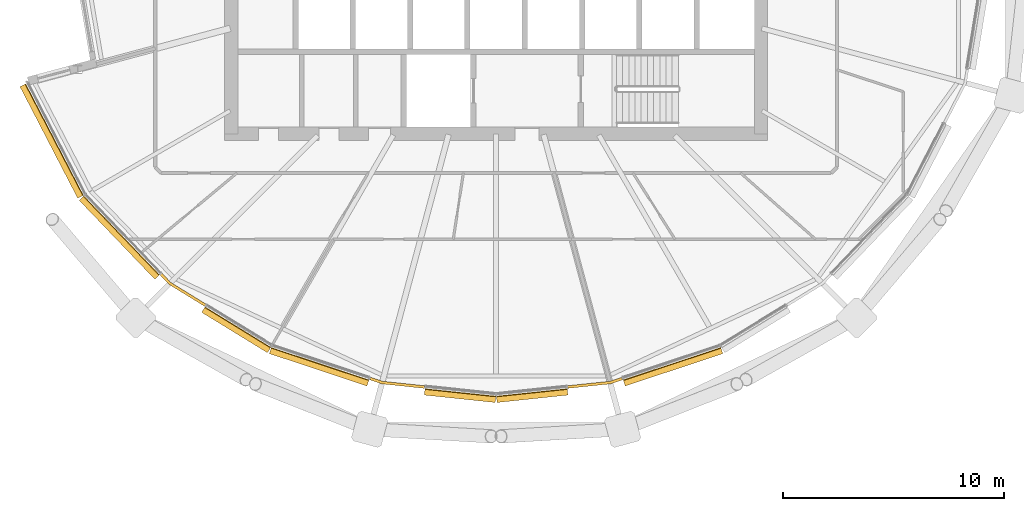
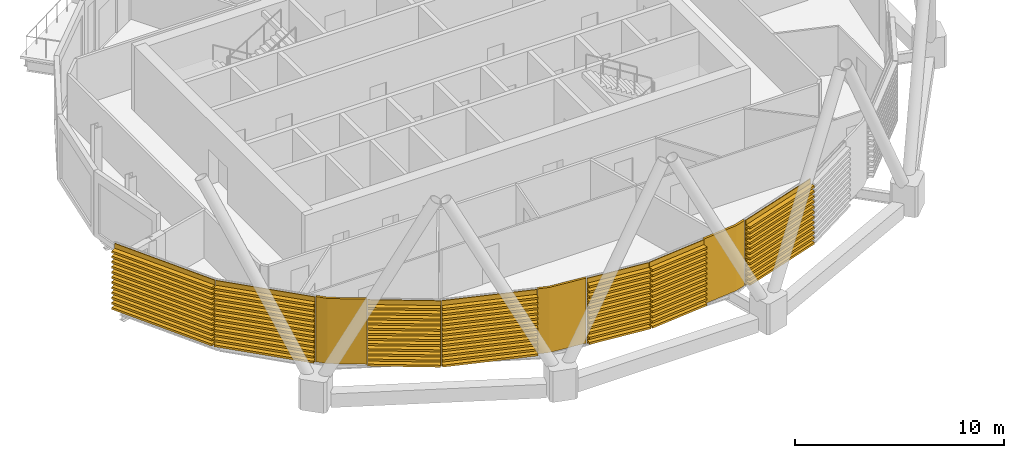
# One storey, part 31 of 37: 10 coverings.
"""IFC4 building model written with IfcOpenShell, lengths in metres."""

from ifc_helpers import new_model, si_unit, direction, frame, origin, place, context, subcontext, project, spatial, polyline, outline, extrude, material, layer, layer_set, material_profile, profile_set, type_object, element, save


model = new_model("IFC4")

# Units and contexts
model_context = context("Model", 3, precision=1e-05, world=origin(), true_north=direction((0.0, 1.0)))
body_context = subcontext(model_context, "Body", "Model", "MODEL_VIEW")
ifc_project = project(units=[si_unit("LENGTHUNIT", "METRE"), si_unit("AREAUNIT", "SQUARE_METRE"), si_unit("VOLUMEUNIT", "CUBIC_METRE"), si_unit("PLANEANGLEUNIT", "RADIAN"), si_unit("MASSUNIT", "GRAM", prefix="KILO")], contexts=[model_context])

# Site, building, storey
site_placement = place(None, origin())
site = spatial("IfcSite", under=ifc_project, at=site_placement, CompositionType="ELEMENT")
building_placement = place(site_placement, origin())
building = spatial("IfcBuilding", under=site, at=building_placement, Name="Rimbun Link Towers", CompositionType="ELEMENT")
storey_placement = place(building_placement, frame((0.0, 0.0, 170.300048828125)))
storey = spatial("IfcBuildingStorey", under=building, at=storey_placement, Name="L41", CompositionType="ELEMENT", Elevation=170.300048828125)

# Coverings
ifc_material_1 = material(Name="Terracotta", Category="masonry")
ifc_layer = layer(ifc_material_1, 0.1201171875)
ifc_layer_set = layer_set([ifc_layer], Name="LINK PIER terracotta cladding 120")
covering_type_1 = type_object("IfcCoveringType", Name="LINK PIER terracotta cladding 120", PredefinedType="CLADDING", material=ifc_layer_set)
covering_1_placement = place(storey_placement, origin())
element("IfcCovering", 1, at=covering_1_placement, inside=storey, type_object=covering_type_1, Name="LINK PIER cladding", PredefinedType="CLADDING", context=body_context, shape_type="SweptSolid", body=[
    extrude(outline(polyline([(-44.8876953125, -15.709716796875), (-46.481201171875, -14.731201171875), (-46.875732421875, -14.31982421875), (-46.96240234375, -14.40283203125), (-46.55712890625, -14.825439453125), (-44.950439453125, -15.81201171875), (-44.8876953125, -15.709716796875)])), origin(), (0.0, 0.0, 1.0), 3.800048828125),
])
covering_2_placement = place(storey_placement, origin())
element("IfcCovering", 2, at=covering_2_placement, inside=storey, type_object=covering_type_1, Name="LINK PIER cladding", PredefinedType="CLADDING", context=body_context, shape_type="SweptSolid", body=[
    extrude(outline(polyline([(-34.987060546875, -19.40771484375), (-36.896484375, -19.20654296875), (-37.4375, -19.02734375), (-37.47509765625, -19.14111328125), (-36.921875, -19.324462890625), (-34.99951171875, -19.527099609375), (-34.987060546875, -19.40771484375)])), origin(), (0.0, 0.0, 1.0), 3.800048828125),
])
covering_3_placement = place(storey_placement, origin())
element("IfcCovering", 3, at=covering_3_placement, inside=storey, type_object=covering_type_1, Name="LINK PIER cladding", PredefinedType="CLADDING", context=body_context, shape_type="SweptSolid", body=[
    extrude(outline(polyline([(-26.0625, -19.02734375), (-26.603515625, -19.20654296875), (-28.512939453125, -19.40771484375), (-28.50048828125, -19.527099609375), (-26.578125, -19.324462890625), (-26.02490234375, -19.14111328125), (-26.0625, -19.02734375)])), origin(), (0.0, 0.0, 1.0), 3.800048828125),
])
ifc_material_2 = material(Name="Terracotta", Category="masonry")
ifc_material_profile = material_profile(ifc_material_2, outline(polyline([(0.123046875, 0.0), (0.1630859375, 0.0), (0.1630859375, 0.10009765625), (0.423095703125, 0.10009765625), (0.423095703125, 0.219970703125), (0.1630859375, 0.219970703125), (0.1630859375, 0.39990234375), (0.423095703125, 0.39990234375), (0.423095703125, 0.52001953125), (0.1630859375, 0.52001953125), (0.1630859375, 0.699951171875), (0.423095703125, 0.699951171875), (0.423095703125, 0.820068359375), (0.1630859375, 0.820068359375), (0.1630859375, 1.0), (0.423095703125, 1.0), (0.423095703125, 1.1201171875), (0.1630859375, 1.1201171875), (0.1630859375, 1.300048828125), (0.423095703125, 1.300048828125), (0.423095703125, 1.419921875), (0.1630859375, 1.419921875), (0.1630859375, 1.60009765625), (0.423095703125, 1.60009765625), (0.423095703125, 1.719970703125), (0.1630859375, 1.719970703125), (0.1630859375, 1.89990234375), (0.423095703125, 1.89990234375), (0.423095703125, 2.02001953125), (0.1630859375, 2.02001953125), (0.1630859375, 2.199951171875), (0.423095703125, 2.199951171875), (0.423095703125, 2.320068359375), (0.1630859375, 2.320068359375), (0.1630859375, 2.5), (0.423095703125, 2.5), (0.423095703125, 2.6201171875), (0.1630859375, 2.6201171875), (0.1630859375, 2.800048828125), (0.423095703125, 2.800048828125), (0.423095703125, 2.919921875), (0.1630859375, 2.919921875), (0.1630859375, 3.10009765625), (0.423095703125, 3.10009765625), (0.423095703125, 3.219970703125), (0.1630859375, 3.219970703125), (0.1630859375, 3.39990234375), (0.423095703125, 3.39990234375), (0.423095703125, 3.52001953125), (0.1630859375, 3.52001953125), (0.1630859375, 3.800048828125), (0.123046875, 3.800048828125), (0.123046875, 0.0)])), Name="BAGUETTE 120X300")
ifc_profile_set = profile_set([ifc_material_profile], Name="Terracotta")
covering_type_2 = type_object("IfcCoveringType", Name="TERRACOTTA BAGUETTE 120X300 H3800", PredefinedType="CLADDING", material=ifc_profile_set)
covering_4_placement = place(storey_placement, frame((-50.323486328125, -10.723388671875, 0.0), z_axis=(-0.459578361582, 0.888137224513, 0.0), x_axis=(-0.888137224513, -0.459578361582, 0.0)))
element("IfcCovering", 4, at=covering_4_placement, inside=storey, type_object=covering_type_2, Name="TERRACOTTA BAGUETTE", PredefinedType="CLADDING", context=body_context, shape_type="SweptSolid", body=[
    extrude(outline(polyline([(0.123046875, 0.0), (0.1630859375, 0.0), (0.1630859375, 0.10009765625), (0.423095703125, 0.10009765625), (0.423095703125, 0.219970703125), (0.1630859375, 0.219970703125), (0.1630859375, 0.39990234375), (0.423095703125, 0.39990234375), (0.423095703125, 0.52001953125), (0.1630859375, 0.52001953125), (0.1630859375, 0.699951171875), (0.423095703125, 0.699951171875), (0.423095703125, 0.820068359375), (0.1630859375, 0.820068359375), (0.1630859375, 1.0), (0.423095703125, 1.0), (0.423095703125, 1.1201171875), (0.1630859375, 1.1201171875), (0.1630859375, 1.300048828125), (0.423095703125, 1.300048828125), (0.423095703125, 1.419921875), (0.1630859375, 1.419921875), (0.1630859375, 1.60009765625), (0.423095703125, 1.60009765625), (0.423095703125, 1.719970703125), (0.1630859375, 1.719970703125), (0.1630859375, 1.89990234375), (0.423095703125, 1.89990234375), (0.423095703125, 2.02001953125), (0.1630859375, 2.02001953125), (0.1630859375, 2.199951171875), (0.423095703125, 2.199951171875), (0.423095703125, 2.320068359375), (0.1630859375, 2.320068359375), (0.1630859375, 2.5), (0.423095703125, 2.5), (0.423095703125, 2.6201171875), (0.1630859375, 2.6201171875), (0.1630859375, 2.800048828125), (0.423095703125, 2.800048828125), (0.423095703125, 2.919921875), (0.1630859375, 2.919921875), (0.1630859375, 3.10009765625), (0.423095703125, 3.10009765625), (0.423095703125, 3.219970703125), (0.1630859375, 3.219970703125), (0.1630859375, 3.39990234375), (0.423095703125, 3.39990234375), (0.423095703125, 3.52001953125), (0.1630859375, 3.52001953125), (0.1630859375, 3.800048828125), (0.123046875, 3.800048828125), (0.123046875, 0.0)])), origin(), (0.0, 0.0, 1.0), 5.6826171875),
])
covering_5_placement = place(storey_placement, frame((-46.896484375, -14.298095703125, 0.0), z_axis=(-0.692035988, 0.721863000377, 0.0), x_axis=(-0.721863000377, -0.692035988, 0.0)))
element("IfcCovering", 5, at=covering_5_placement, inside=storey, type_object=covering_type_2, Name="TERRACOTTA BAGUETTE", PredefinedType="CLADDING", context=body_context, shape_type="SweptSolid", body=[
    extrude(outline(polyline([(0.123046875, 0.0), (0.1630859375, 0.0), (0.1630859375, 0.10009765625), (0.423095703125, 0.10009765625), (0.423095703125, 0.219970703125), (0.1630859375, 0.219970703125), (0.1630859375, 0.39990234375), (0.423095703125, 0.39990234375), (0.423095703125, 0.52001953125), (0.1630859375, 0.52001953125), (0.1630859375, 0.699951171875), (0.423095703125, 0.699951171875), (0.423095703125, 0.820068359375), (0.1630859375, 0.820068359375), (0.1630859375, 1.0), (0.423095703125, 1.0), (0.423095703125, 1.1201171875), (0.1630859375, 1.1201171875), (0.1630859375, 1.300048828125), (0.423095703125, 1.300048828125), (0.423095703125, 1.419921875), (0.1630859375, 1.419921875), (0.1630859375, 1.60009765625), (0.423095703125, 1.60009765625), (0.423095703125, 1.719970703125), (0.1630859375, 1.719970703125), (0.1630859375, 1.89990234375), (0.423095703125, 1.89990234375), (0.423095703125, 2.02001953125), (0.1630859375, 2.02001953125), (0.1630859375, 2.199951171875), (0.423095703125, 2.199951171875), (0.423095703125, 2.320068359375), (0.1630859375, 2.320068359375), (0.1630859375, 2.5), (0.423095703125, 2.5), (0.423095703125, 2.6201171875), (0.1630859375, 2.6201171875), (0.1630859375, 2.800048828125), (0.423095703125, 2.800048828125), (0.423095703125, 2.919921875), (0.1630859375, 2.919921875), (0.1630859375, 3.10009765625), (0.423095703125, 3.10009765625), (0.423095703125, 3.219970703125), (0.1630859375, 3.219970703125), (0.1630859375, 3.39990234375), (0.423095703125, 3.39990234375), (0.423095703125, 3.52001953125), (0.1630859375, 3.52001953125), (0.1630859375, 3.800048828125), (0.123046875, 3.800048828125), (0.123046875, 0.0)])), origin(), (0.0, 0.0, 1.0), 4.9521484375),
])
covering_6_placement = place(storey_placement, frame((-41.884521484375, -17.5537109375, 0.0), z_axis=(-0.852164119705, 0.523274605811, 0.0), x_axis=(-0.523274605811, -0.852164119705, 0.0)))
element("IfcCovering", 6, at=covering_6_placement, inside=storey, type_object=covering_type_2, Name="TERRACOTTA BAGUETTE", PredefinedType="CLADDING", context=body_context, shape_type="SweptSolid", body=[
    extrude(outline(polyline([(0.123046875, 0.0), (0.1630859375, 0.0), (0.1630859375, 0.10009765625), (0.423095703125, 0.10009765625), (0.423095703125, 0.219970703125), (0.1630859375, 0.219970703125), (0.1630859375, 0.39990234375), (0.423095703125, 0.39990234375), (0.423095703125, 0.52001953125), (0.1630859375, 0.52001953125), (0.1630859375, 0.699951171875), (0.423095703125, 0.699951171875), (0.423095703125, 0.820068359375), (0.1630859375, 0.820068359375), (0.1630859375, 1.0), (0.423095703125, 1.0), (0.423095703125, 1.1201171875), (0.1630859375, 1.1201171875), (0.1630859375, 1.300048828125), (0.423095703125, 1.300048828125), (0.423095703125, 1.419921875), (0.1630859375, 1.419921875), (0.1630859375, 1.60009765625), (0.423095703125, 1.60009765625), (0.423095703125, 1.719970703125), (0.1630859375, 1.719970703125), (0.1630859375, 1.89990234375), (0.423095703125, 1.89990234375), (0.423095703125, 2.02001953125), (0.1630859375, 2.02001953125), (0.1630859375, 2.199951171875), (0.423095703125, 2.199951171875), (0.423095703125, 2.320068359375), (0.1630859375, 2.320068359375), (0.1630859375, 2.5), (0.423095703125, 2.5), (0.423095703125, 2.6201171875), (0.1630859375, 2.6201171875), (0.1630859375, 2.800048828125), (0.423095703125, 2.800048828125), (0.423095703125, 2.919921875), (0.1630859375, 2.919921875), (0.1630859375, 3.10009765625), (0.423095703125, 3.10009765625), (0.423095703125, 3.219970703125), (0.1630859375, 3.219970703125), (0.1630859375, 3.39990234375), (0.423095703125, 3.39990234375), (0.423095703125, 3.52001953125), (0.1630859375, 3.52001953125), (0.1630859375, 3.800048828125), (0.123046875, 3.800048828125), (0.123046875, 0.0)])), origin(), (0.0, 0.0, 1.0), 3.494140625),
])
covering_7_placement = place(storey_placement, frame((-37.466064453125, -19.017822265625, 0.0), z_axis=(-0.94924302077, 0.314543617834, 0.0), x_axis=(-0.314543617834, -0.94924302077, 0.0)))
element("IfcCovering", 7, at=covering_7_placement, inside=storey, type_object=covering_type_2, Name="TERRACOTTA BAGUETTE", PredefinedType="CLADDING", context=body_context, shape_type="SweptSolid", body=[
    extrude(outline(polyline([(0.123046875, 0.0), (0.1630859375, 0.0), (0.1630859375, 0.10009765625), (0.423095703125, 0.10009765625), (0.423095703125, 0.219970703125), (0.1630859375, 0.219970703125), (0.1630859375, 0.39990234375), (0.423095703125, 0.39990234375), (0.423095703125, 0.52001953125), (0.1630859375, 0.52001953125), (0.1630859375, 0.699951171875), (0.423095703125, 0.699951171875), (0.423095703125, 0.820068359375), (0.1630859375, 0.820068359375), (0.1630859375, 1.0), (0.423095703125, 1.0), (0.423095703125, 1.1201171875), (0.1630859375, 1.1201171875), (0.1630859375, 1.300048828125), (0.423095703125, 1.300048828125), (0.423095703125, 1.419921875), (0.1630859375, 1.419921875), (0.1630859375, 1.60009765625), (0.423095703125, 1.60009765625), (0.423095703125, 1.719970703125), (0.1630859375, 1.719970703125), (0.1630859375, 1.89990234375), (0.423095703125, 1.89990234375), (0.423095703125, 2.02001953125), (0.1630859375, 2.02001953125), (0.1630859375, 2.199951171875), (0.423095703125, 2.199951171875), (0.423095703125, 2.320068359375), (0.1630859375, 2.320068359375), (0.1630859375, 2.5), (0.423095703125, 2.5), (0.423095703125, 2.6201171875), (0.1630859375, 2.6201171875), (0.1630859375, 2.800048828125), (0.423095703125, 2.800048828125), (0.423095703125, 2.919921875), (0.1630859375, 2.919921875), (0.1630859375, 3.10009765625), (0.423095703125, 3.10009765625), (0.423095703125, 3.219970703125), (0.1630859375, 3.219970703125), (0.1630859375, 3.39990234375), (0.423095703125, 3.39990234375), (0.423095703125, 3.52001953125), (0.1630859375, 3.52001953125), (0.1630859375, 3.800048828125), (0.123046875, 3.800048828125), (0.123046875, 0.0)])), origin(), (0.0, 0.0, 1.0), 4.65478515625),
])
for number, where, z_axis, x_axis, name in (
    (8, (-31.75, -19.74853515625, 0.0), (-0.994503378528, 0.104704489381, 0.0), (-0.104704489381, -0.994503378528, 0.0), "TERRACOTTA BAGUETTE"),
    (9, (-28.54296875, -19.410888671875, 0.0), (-0.994503378528, -0.104704489381, 0.0), (0.104704489381, -0.994503378528, 0.0), "TERRACOTTA BAGUETTE"),
):
    element("IfcCovering", number, at=place(storey_placement, frame(where, z_axis=z_axis, x_axis=x_axis)), inside=storey, type_object=covering_type_2, Name=name, PredefinedType="CLADDING", context=body_context, shape_type="SweptSolid", body=[
        extrude(outline(polyline([(0.123046875, 0.0), (0.1630859375, 0.0), (0.1630859375, 0.10009765625), (0.423095703125, 0.10009765625), (0.423095703125, 0.219970703125), (0.1630859375, 0.219970703125), (0.1630859375, 0.39990234375), (0.423095703125, 0.39990234375), (0.423095703125, 0.52001953125), (0.1630859375, 0.52001953125), (0.1630859375, 0.699951171875), (0.423095703125, 0.699951171875), (0.423095703125, 0.820068359375), (0.1630859375, 0.820068359375), (0.1630859375, 1.0), (0.423095703125, 1.0), (0.423095703125, 1.1201171875), (0.1630859375, 1.1201171875), (0.1630859375, 1.300048828125), (0.423095703125, 1.300048828125), (0.423095703125, 1.419921875), (0.1630859375, 1.419921875), (0.1630859375, 1.60009765625), (0.423095703125, 1.60009765625), (0.423095703125, 1.719970703125), (0.1630859375, 1.719970703125), (0.1630859375, 1.89990234375), (0.423095703125, 1.89990234375), (0.423095703125, 2.02001953125), (0.1630859375, 2.02001953125), (0.1630859375, 2.199951171875), (0.423095703125, 2.199951171875), (0.423095703125, 2.320068359375), (0.1630859375, 2.320068359375), (0.1630859375, 2.5), (0.423095703125, 2.5), (0.423095703125, 2.6201171875), (0.1630859375, 2.6201171875), (0.1630859375, 2.800048828125), (0.423095703125, 2.800048828125), (0.423095703125, 2.919921875), (0.1630859375, 2.919921875), (0.1630859375, 3.10009765625), (0.423095703125, 3.10009765625), (0.423095703125, 3.219970703125), (0.1630859375, 3.219970703125), (0.1630859375, 3.39990234375), (0.423095703125, 3.39990234375), (0.423095703125, 3.52001953125), (0.1630859375, 3.52001953125), (0.1630859375, 3.800048828125), (0.123046875, 3.800048828125), (0.123046875, 0.0)])), origin(), (0.0, 0.0, 1.0), 3.224853515625),
    ])
covering_8_placement = place(storey_placement, frame((-21.615478515625, -17.5537109375, 0.0), z_axis=(-0.94924302077, -0.314543617834, 0.0), x_axis=(0.314543617834, -0.94924302077, 0.0)))
element("IfcCovering", 10, at=covering_8_placement, inside=storey, type_object=covering_type_2, Name="TERRACOTTA BAGUETTE", PredefinedType="CLADDING", context=body_context, shape_type="SweptSolid", body=[
    extrude(outline(polyline([(0.123046875, 0.0), (0.1630859375, 0.0), (0.1630859375, 0.10009765625), (0.423095703125, 0.10009765625), (0.423095703125, 0.219970703125), (0.1630859375, 0.219970703125), (0.1630859375, 0.39990234375), (0.423095703125, 0.39990234375), (0.423095703125, 0.52001953125), (0.1630859375, 0.52001953125), (0.1630859375, 0.699951171875), (0.423095703125, 0.699951171875), (0.423095703125, 0.820068359375), (0.1630859375, 0.820068359375), (0.1630859375, 1.0), (0.423095703125, 1.0), (0.423095703125, 1.1201171875), (0.1630859375, 1.1201171875), (0.1630859375, 1.300048828125), (0.423095703125, 1.300048828125), (0.423095703125, 1.419921875), (0.1630859375, 1.419921875), (0.1630859375, 1.60009765625), (0.423095703125, 1.60009765625), (0.423095703125, 1.719970703125), (0.1630859375, 1.719970703125), (0.1630859375, 1.89990234375), (0.423095703125, 1.89990234375), (0.423095703125, 2.02001953125), (0.1630859375, 2.02001953125), (0.1630859375, 2.199951171875), (0.423095703125, 2.199951171875), (0.423095703125, 2.320068359375), (0.1630859375, 2.320068359375), (0.1630859375, 2.5), (0.423095703125, 2.5), (0.423095703125, 2.6201171875), (0.1630859375, 2.6201171875), (0.1630859375, 2.800048828125), (0.423095703125, 2.800048828125), (0.423095703125, 2.919921875), (0.1630859375, 2.919921875), (0.1630859375, 3.10009765625), (0.423095703125, 3.10009765625), (0.423095703125, 3.219970703125), (0.1630859375, 3.219970703125), (0.1630859375, 3.39990234375), (0.423095703125, 3.39990234375), (0.423095703125, 3.52001953125), (0.1630859375, 3.52001953125), (0.1630859375, 3.800048828125), (0.123046875, 3.800048828125), (0.123046875, 0.0)])), origin(), (0.0, 0.0, 1.0), 4.65478515625),
])

save(model, "model.ifc")
